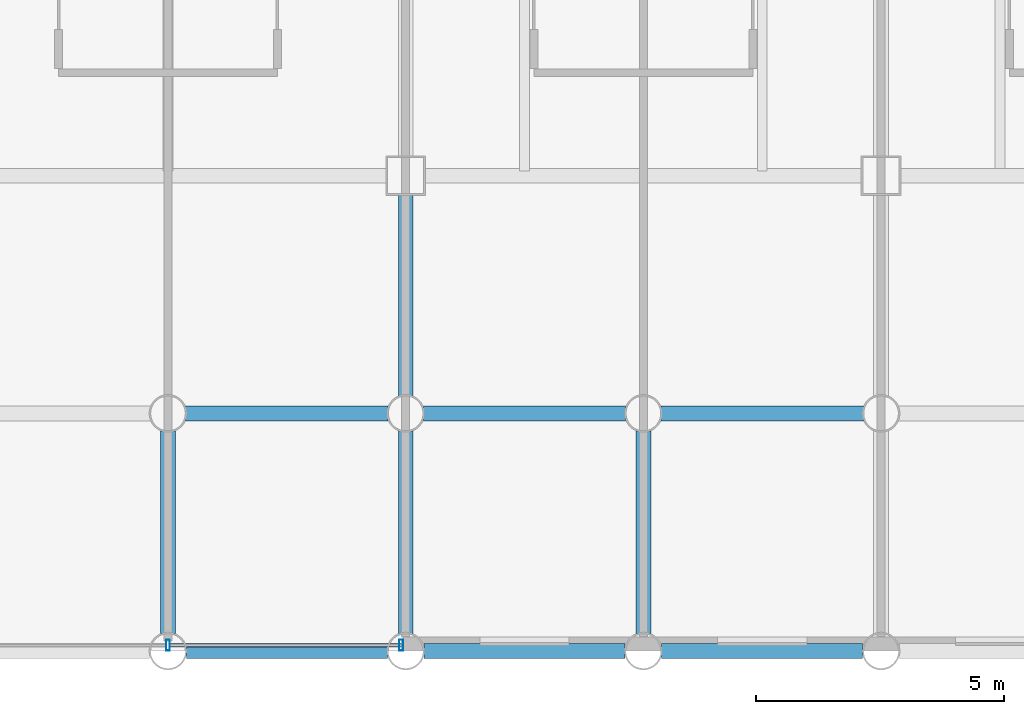
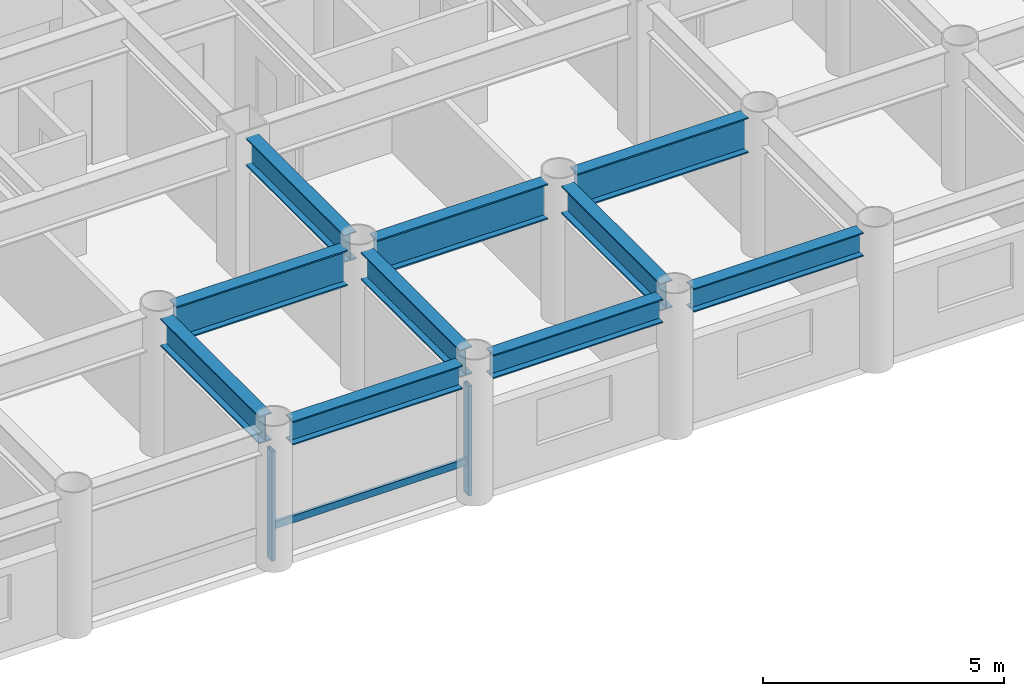
# One storey, part 6 of 22: 10 beams, 3 members, 1 element without a shape of its own.
"""IFC4 building model written with IfcOpenShell, lengths in metres."""

from ifc_helpers import new_model, si_unit, direction, frame, origin, origin_2d, place, context, subcontext, project, spatial, hollow_rectangle, i_section, extrude, material, layer, layer_set, material_profile, profile_set, type_object, element, aggregate, save


model = new_model("IFC4")

# Units and contexts
model_context = context("Model", 3, precision=1e-05, world=origin(), true_north=direction((0.0, 1.0)))
body_context = subcontext(model_context, "Body", "Model", "MODEL_VIEW")
ifc_project = project(units=[si_unit("LENGTHUNIT", "METRE"), si_unit("AREAUNIT", "SQUARE_METRE"), si_unit("VOLUMEUNIT", "CUBIC_METRE"), si_unit("PLANEANGLEUNIT", "RADIAN"), si_unit("MASSUNIT", "GRAM", prefix="KILO")], contexts=[model_context])

# Site, building, storey
site_placement = place(None, origin())
site = spatial("IfcSite", under=ifc_project, at=site_placement, CompositionType="ELEMENT")
building_placement = place(site_placement, origin())
building = spatial("IfcBuilding", under=site, at=building_placement, Name="Kallvorn Hotel Tower", CompositionType="ELEMENT")
storey_placement = place(building_placement, frame((0.0, 0.0, 33.699951171875)))
storey = spatial("IfcBuildingStorey", under=building, at=storey_placement, Name="L06", CompositionType="ELEMENT", Elevation=33.699951171875)

# Beams
ifc_material_1 = material(Name="Structural steel S355JR", Category="steel")
ifc_material_profile_1 = material_profile(ifc_material_1, i_section(OverallWidth=0.300048828125, OverallDepth=0.60009765625, WebThickness=0.015380859375, FlangeThickness=0.030029296875, at=origin_2d()), Name="HE 600 B")
ifc_profile_set_1 = profile_set([ifc_material_profile_1], Name="Structural steel S355JR")
beam_type_1 = type_object("IfcBeamType", Name="BM_HE600B", PredefinedType="SPANDREL", material=ifc_profile_set_1)
beam_1_placement = place(storey_placement, frame((0.37109375, -24.0, 3.219970703125), z_axis=(1.0, 0.0, 0.0), x_axis=(0.0, 1.0, 0.0)))
element("IfcBeam", 1, at=beam_1_placement, inside=storey, type_object=beam_type_1, Name="L07 Perimeter Spandrel 157", PredefinedType="SPANDREL", context=body_context, shape_type="SweptSolid", body=[
    extrude(i_section(OverallWidth=0.300048828125, OverallDepth=0.60009765625, WebThickness=0.015380859375, FlangeThickness=0.030029296875, at=origin_2d()), origin(), (0.0, 0.0, 1.0), 4.057861328125),
])
for number, where, z_axis, x_axis, name in (
    (2, (5.1708984375, -24.0, 3.219970703125), (1.0, 0.0, 0.0), (0.0, 1.0, 0.0), "L07 Perimeter Spandrel 158"),
    (3, (9.970947265625, -24.0, 3.219970703125), (1.0, 0.0, 0.0), (0.0, 1.0, 0.0), "L07 Perimeter Spandrel 159"),
):
    element("IfcBeam", number, at=place(storey_placement, frame(where, z_axis=z_axis, x_axis=x_axis)), inside=storey, type_object=beam_type_1, Name=name, PredefinedType="SPANDREL", context=body_context, shape_type="SweptSolid", body=[
        extrude(i_section(OverallWidth=0.300048828125, OverallDepth=0.60009765625, WebThickness=0.015380859375, FlangeThickness=0.030029296875, at=origin_2d()), origin(), (0.0, 0.0, 1.0), 4.05810546875),
    ])
ifc_material_2 = material(Name="Structural steel S355JR", Category="steel")
ifc_material_profile_2 = material_profile(ifc_material_2, i_section(OverallWidth=0.300048828125, OverallDepth=0.699951171875, WebThickness=0.01708984375, FlangeThickness=0.031982421875, at=origin_2d()), Name="HE 700 B")
ifc_profile_set_2 = profile_set([ifc_material_profile_2], Name="Structural steel S355JR")
beam_type_2 = type_object("IfcBeamType", Name="BM_HE700B", PredefinedType="BEAM", material=ifc_profile_set_2)
for number, where, z_axis, x_axis, name in (
    (4, (0.0, -23.64404296875, 3.170166015625), (0.0, 1.0, 0.0), (-1.0, 0.0, 0.0), "L07 Primary Y-Girder 111"),
    (5, (4.800048828125, -23.64404296875, 3.170166015625), (0.0, 1.0, 0.0), (-1.0, 0.0, 0.0), "L07 Primary Y-Girder 114"),
):
    element("IfcBeam", number, at=place(storey_placement, frame(where, z_axis=z_axis, x_axis=x_axis)), inside=storey, type_object=beam_type_2, Name=name, PredefinedType="BEAM", context=body_context, shape_type="SweptSolid", body=[
        extrude(i_section(OverallWidth=0.300048828125, OverallDepth=0.699951171875, WebThickness=0.01708984375, FlangeThickness=0.031982421875, at=origin_2d()), origin(), (0.0, 0.0, 1.0), 4.088134765625),
    ])
beam_2_placement = place(storey_placement, frame((4.800048828125, -18.843994140625, 3.170166015625), z_axis=(0.0, 1.0, 0.0), x_axis=(-1.0, 0.0, 0.0)))
element("IfcBeam", 6, at=beam_2_placement, inside=storey, type_object=beam_type_2, Name="L07 Primary Y-Girder 115", PredefinedType="BEAM", context=body_context, shape_type="SweptSolid", body=[
    extrude(i_section(OverallWidth=0.300048828125, OverallDepth=0.699951171875, WebThickness=0.01708984375, FlangeThickness=0.031982421875, at=origin_2d()), origin(), (0.0, 0.0, 1.0), 4.069091796875),
])
beam_3_placement = place(storey_placement, frame((9.60009765625, -23.64404296875, 3.170166015625), z_axis=(0.0, 1.0, 0.0), x_axis=(-1.0, 0.0, 0.0)))
element("IfcBeam", 7, at=beam_3_placement, inside=storey, type_object=beam_type_2, Name="L07 Primary Y-Girder 119", PredefinedType="BEAM", context=body_context, shape_type="SweptSolid", body=[
    extrude(i_section(OverallWidth=0.300048828125, OverallDepth=0.699951171875, WebThickness=0.01708984375, FlangeThickness=0.031982421875, at=origin_2d()), origin(), (0.0, 0.0, 1.0), 4.088134765625),
])
ifc_material_3 = material(Name="Structural steel S355JR", Category="steel")
ifc_material_profile_3 = material_profile(ifc_material_3, i_section(OverallWidth=0.300048828125, OverallDepth=0.89990234375, WebThickness=0.0185546875, FlangeThickness=0.034912109375, at=origin_2d()), Name="HE 900 B")
ifc_profile_set_3 = profile_set([ifc_material_profile_3], Name="Structural steel S355JR")
beam_type_3 = type_object("IfcBeamType", Name="BM_HE900B", PredefinedType="BEAM", material=ifc_profile_set_3)
beam_4_placement = place(storey_placement, frame((0.35595703125, -19.199951171875, 3.070068359375), z_axis=(1.0, 0.0, 0.0), x_axis=(0.0, 1.0, 0.0)))
element("IfcBeam", 8, at=beam_4_placement, inside=storey, type_object=beam_type_3, Name="L07 Primary X-Girder 08", PredefinedType="BEAM", context=body_context, shape_type="SweptSolid", body=[
    extrude(i_section(OverallWidth=0.300048828125, OverallDepth=0.89990234375, WebThickness=0.0185546875, FlangeThickness=0.034912109375, at=origin_2d()), origin(), (0.0, 0.0, 1.0), 4.088134765625),
])
for number, where, z_axis, x_axis, name in (
    (9, (5.156005859375, -19.199951171875, 3.070068359375), (1.0, 0.0, 0.0), (0.0, 1.0, 0.0), "L07 Primary X-Girder 09"),
    (10, (9.9560546875, -19.199951171875, 3.070068359375), (1.0, 0.0, 0.0), (0.0, 1.0, 0.0), "L07 Primary X-Girder 10"),
):
    element("IfcBeam", number, at=place(storey_placement, frame(where, z_axis=z_axis, x_axis=x_axis)), inside=storey, type_object=beam_type_3, Name=name, PredefinedType="BEAM", context=body_context, shape_type="SweptSolid", body=[
        extrude(i_section(OverallWidth=0.300048828125, OverallDepth=0.89990234375, WebThickness=0.0185546875, FlangeThickness=0.034912109375, at=origin_2d()), origin(), (0.0, 0.0, 1.0), 4.087890625),
    ])

# Curtain wall, members
ifc_material_4 = material(Name="Thermally broken black-anodised aluminium AA 6063-T6", Category="aluminium")
ifc_layer = layer(ifc_material_4, 0.199951171875)
ifc_layer_set = layer_set([ifc_layer], Name="CW_SYS_3_HOTEL_LOW")
curtain_wall_type = type_object("IfcCurtainWallType", Name="CW_SYS_3_HOTEL_LOW", PredefinedType="USERDEFINED", material=ifc_layer_set)
curtain_wall_placement = place(storey_placement, origin())
curtain_wall = element("IfcCurtainWall", 11, at=curtain_wall_placement, inside=storey, type_object=curtain_wall_type, Name="L06 Dark-Glass Curtain Wall CW-L06-SC", ObjectType="UNITISED CURTAIN WALL", PredefinedType="USERDEFINED")
ifc_material_5 = material(Name="Thermally broken black-anodised aluminium AA 6063-T6", Category="aluminium")
ifc_material_profile_4 = material_profile(ifc_material_5, hollow_rectangle(XDim=0.080078125, YDim=0.219970703125, WallThickness=0.0048828125, at=origin_2d()), Name="MUL 220x80")
ifc_profile_set_4 = profile_set([ifc_material_profile_4], Name="Thermally broken black-anodised aluminium AA 6063-T6")
member_type_1 = type_object("IfcMemberType", Name="CW_MULLION_220x80", PredefinedType="MULLION", material=ifc_profile_set_4)
member_1_placement = place(storey_placement, frame((0.0, -23.8798828125, 0.02001953125), z_axis=(0.0, 0.0, 1.0), x_axis=(1.0, 0.0, 0.0)))
member_1 = element("IfcMember", 12, at=member_1_placement, type_object=member_type_1, Name="CW-L06-SC Mullion 01", PredefinedType="MULLION", context=body_context, shape_type="SweptSolid", body=[
    extrude(hollow_rectangle(XDim=0.080078125, YDim=0.219970703125, WallThickness=0.0048828125, at=origin_2d()), origin(), (0.0, 0.0, 1.0), 2.780029296875),
])
member_2_placement = place(storey_placement, frame((4.7099609375, -23.8798828125, 0.02001953125), z_axis=(0.0, 0.0, 1.0), x_axis=(1.0, 0.0, 0.0)))
member_2 = element("IfcMember", 13, at=member_2_placement, type_object=member_type_1, Name="CW-L06-SC Mullion 02", PredefinedType="MULLION", context=body_context, shape_type="SweptSolid", body=[
    extrude(hollow_rectangle(XDim=0.080078125, YDim=0.219970703125, WallThickness=0.0048828125, at=origin_2d()), origin(), (0.0, 0.0, 1.0), 2.780029296875),
])
ifc_material_6 = material(Name="Thermally broken black-anodised aluminium AA 6063-T6", Category="aluminium")
ifc_material_profile_5 = material_profile(ifc_material_6, hollow_rectangle(XDim=0.070068359375, YDim=0.179931640625, WallThickness=0.00390625, at=origin_2d()), Name="TRN 180x70")
ifc_profile_set_5 = profile_set([ifc_material_profile_5], Name="Thermally broken black-anodised aluminium AA 6063-T6")
member_type_2 = type_object("IfcMemberType", Name="CW_TRANSOM_180x70", PredefinedType="USERDEFINED", material=ifc_profile_set_5)
member_3_placement = place(storey_placement, frame((0.0400390625, -23.8798828125, 0.85009765625), z_axis=(1.0, 0.0, 0.0), x_axis=(0.0, 1.0, 0.0)))
member_3 = element("IfcMember", 14, at=member_3_placement, type_object=member_type_2, Name="CW-L06-SC Transom 01M", ObjectType="TRANSOM", PredefinedType="USERDEFINED", context=body_context, shape_type="SweptSolid", body=[
    extrude(hollow_rectangle(XDim=0.070068359375, YDim=0.179931640625, WallThickness=0.00390625, at=origin_2d()), origin(), (0.0, 0.0, 1.0), 4.669921875),
])
aggregate(curtain_wall, [member_1, member_2, member_3])

save(model, "model.ifc")
